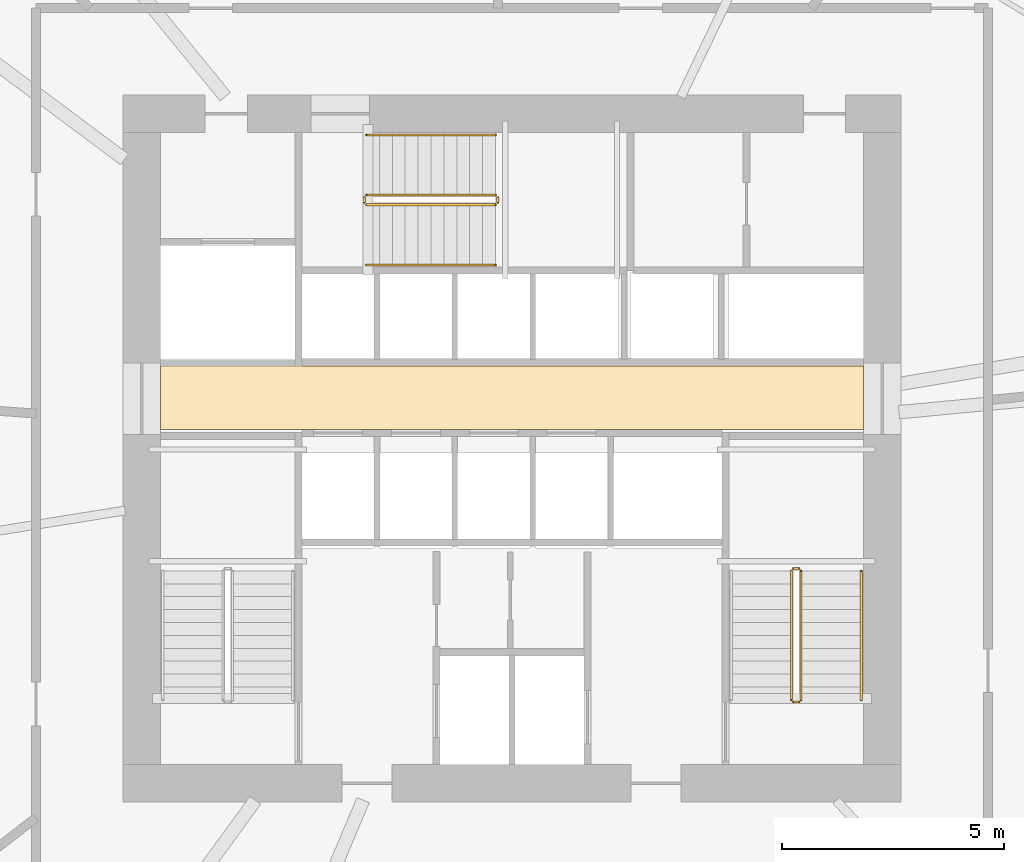
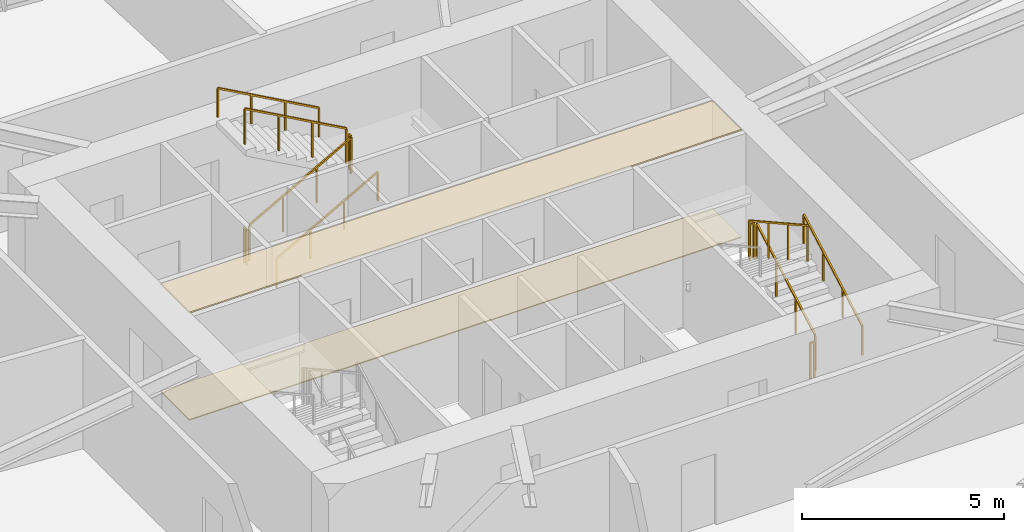
# One storey, part 20 of 21: 11 railings, 2 coverings.
"""IFC4 building model written with IfcOpenShell, lengths in metres."""

from ifc_helpers import new_model, si_unit, direction, frame, origin, origin_2d, place, context, subcontext, project, spatial, polyline, rectangle, outline, extrude, material, layer, layer_set, type_object, element, save


model = new_model("IFC4")

# Units and contexts
model_context = context("Model", 3, precision=1e-05, world=origin(), true_north=direction((0.0, 1.0)))
body_context = subcontext(model_context, "Body", "Model", "MODEL_VIEW")
ifc_project = project(units=[si_unit("LENGTHUNIT", "METRE"), si_unit("AREAUNIT", "SQUARE_METRE"), si_unit("VOLUMEUNIT", "CUBIC_METRE"), si_unit("PLANEANGLEUNIT", "RADIAN"), si_unit("MASSUNIT", "GRAM", prefix="KILO")], contexts=[model_context])

# Site, building, storey
site_placement = place(None, origin())
site = spatial("IfcSite", under=ifc_project, at=site_placement, CompositionType="ELEMENT")
building_placement = place(site_placement, origin())
building = spatial("IfcBuilding", under=site, at=building_placement, Name="Olszyna Solenne Hotel", CompositionType="ELEMENT")
storey_placement = place(building_placement, frame((0.0, 0.0, 68.35009765625)))
storey = spatial("IfcBuildingStorey", under=building, at=storey_placement, Name="L17", CompositionType="ELEMENT", Elevation=68.35009765625)

# Coverings
ifc_material_1 = material(Name="Mineral wool acoustic ceiling")
ifc_layer_1 = layer(ifc_material_1, 0.0400390625, Name="Mineral wool acoustic ceiling")
ifc_layer_set_1 = layer_set([ifc_layer_1], Name="Mineral wool acoustic ceiling")
covering_type_1 = type_object("IfcCoveringType", Name="CL-AC1", PredefinedType="CEILING", material=ifc_layer_set_1)
covering_1_placement = place(storey_placement, frame((0.0, 0.0, 3.239990234375)))
element("IfcCovering", 1, at=covering_1_placement, inside=storey, type_object=covering_type_1, Name="Lift lobby acoustic tile ceiling CL-L17-01", PredefinedType="CEILING", context=body_context, shape_type="SweptSolid", body=[
    extrude(outline(polyline([(30.10009765625, 27.030029296875), (45.89990234375, 27.030029296875), (45.89990234375, 28.4599609375), (30.10009765625, 28.4599609375), (30.10009765625, 27.030029296875)])), origin(), (0.0, 0.0, 1.0), 0.039794921875),
])
ifc_material_2 = material(Name="Ceramic floor tile")
ifc_layer_2 = layer(ifc_material_2, 0.030029296875, Name="Ceramic floor tile")
ifc_layer_set_2 = layer_set([ifc_layer_2], Name="Ceramic floor tile")
covering_type_2 = type_object("IfcCoveringType", Name="FL-TL1", PredefinedType="FLOORING", material=ifc_layer_set_2)
covering_2_placement = place(storey_placement, origin())
element("IfcCovering", 2, at=covering_2_placement, inside=storey, type_object=covering_type_2, Name="Lift lobby stoneware floor finish FLR-L17-01", PredefinedType="FLOORING", context=body_context, shape_type="SweptSolid", body=[
    extrude(outline(polyline([(30.10009765625, 27.030029296875), (45.89990234375, 27.030029296875), (45.89990234375, 28.4599609375), (30.10009765625, 28.4599609375), (30.10009765625, 27.030029296875)])), origin(), (0.0, 0.0, 1.0), 0.02978515625),
])

# Railings
ifc_material_3 = material(Name="Anodised bronze aluminium", Category="aluminium")
railing_type_1 = type_object("IfcRailingType", Name="GR-110", PredefinedType="BALUSTRADE", material=ifc_material_3)
railing_1_placement = place(storey_placement, frame((44.5, 20.949951171875, 0.161376953125)))
element("IfcRailing", 3, at=railing_1_placement, inside=storey, type_object=railing_type_1, Name="L17 ST2 stair guard 1", PredefinedType="BALUSTRADE", context=body_context, shape_type="SweptSolid", body=[
    extrude(rectangle(XDim=0.048095703125, YDim=0.048095703125, at=origin_2d()), frame((0.0, 0.0, 1.076171875), z_axis=(0.0, 0.873858693841, 0.486179990537), x_axis=(-1.0, 0.0, 0.0)), (0.0, 0.0, 1.0), 3.31884765625),
    extrude(rectangle(XDim=0.0419921875, YDim=0.0419921875, at=origin_2d()), origin(), (0.0, 0.0, 1.0), 1.052001953125),
    extrude(rectangle(XDim=0.0419921875, YDim=0.0419921875, at=origin_2d()), frame((0.0, 0.966796875, 0.537841796875)), (0.0, 0.0, 1.0), 1.052001953125),
    extrude(rectangle(XDim=0.0419921875, YDim=0.0419921875, at=origin_2d()), frame((0.0, 1.933349609375, 1.07568359375)), (0.0, 0.0, 1.0), 1.052001953125),
    extrude(rectangle(XDim=0.0419921875, YDim=0.0419921875, at=origin_2d()), frame((0.0, 2.900146484375, 1.613525390625)), (0.0, 0.0, 1.0), 1.052001953125),
])
railing_2_placement = place(storey_placement, frame((44.449951171875, 23.89990234375, 1.77490234375)))
element("IfcRailing", 4, at=railing_2_placement, inside=storey, type_object=railing_type_1, Name="L17 ST2 stair guard 2", PredefinedType="BALUSTRADE", context=body_context, shape_type="SweptSolid", body=[
    extrude(rectangle(XDim=0.048095703125, YDim=0.048095703125, at=origin_2d()), frame((0.0, 0.0, 1.076171875), z_axis=(-1.0, 0.0, 0.0), x_axis=(0.0, -1.0, 0.0)), (0.0, 0.0, 1.0), 0.119873046875),
    extrude(rectangle(XDim=0.0419921875, YDim=0.0419921875, at=origin_2d()), origin(), (0.0, 0.0, 1.0), 1.052001953125),
    extrude(rectangle(XDim=0.0419921875, YDim=0.0419921875, at=origin_2d()), frame((-0.119873046875, 0.0, 0.0)), (0.0, 0.0, 1.0), 1.052001953125),
])
railing_3_placement = place(storey_placement, frame((44.280029296875, 23.85009765625, 1.936279296875)))
element("IfcRailing", 5, at=railing_3_placement, inside=storey, type_object=railing_type_1, Name="L17 ST2 stair guard 3", PredefinedType="BALUSTRADE", context=body_context, shape_type="SweptSolid", body=[
    extrude(rectangle(XDim=0.048095703125, YDim=0.048095703125, at=origin_2d()), frame((0.0, 0.0, 1.076171875), z_axis=(0.0, -0.873858693841, 0.486179990537), x_axis=(1.0, 0.0, 0.0)), (0.0, 0.0, 1.0), 3.31884765625),
    extrude(rectangle(XDim=0.0419921875, YDim=0.0419921875, at=origin_2d()), origin(), (0.0, 0.0, 1.0), 1.052001953125),
    extrude(rectangle(XDim=0.0419921875, YDim=0.0419921875, at=origin_2d()), frame((0.0, -0.966796875, 0.537841796875)), (0.0, 0.0, 1.0), 1.052001953125),
    extrude(rectangle(XDim=0.0419921875, YDim=0.0419921875, at=origin_2d()), frame((0.0, -1.933349609375, 1.07568359375)), (0.0, 0.0, 1.0), 1.052001953125),
    extrude(rectangle(XDim=0.0419921875, YDim=0.0419921875, at=origin_2d()), frame((0.0, -2.900146484375, 1.613525390625)), (0.0, 0.0, 1.0), 1.052001953125),
])
railing_4_placement = place(storey_placement, frame((44.449951171875, 20.89990234375, 0.0)))
element("IfcRailing", 6, at=railing_4_placement, inside=storey, type_object=railing_type_1, Name="L17 ST2 stair guard 4", PredefinedType="BALUSTRADE", context=body_context, shape_type="SweptSolid", body=[
    extrude(rectangle(XDim=0.048095703125, YDim=0.048095703125, at=origin_2d()), frame((0.0, 0.0, 1.076171875), z_axis=(-1.0, 0.0, 0.0), x_axis=(0.0, -1.0, 0.0)), (0.0, 0.0, 1.0), 0.119873046875),
    extrude(rectangle(XDim=0.0419921875, YDim=0.0419921875, at=origin_2d()), origin(), (0.0, 0.0, 1.0), 1.052001953125),
    extrude(rectangle(XDim=0.0419921875, YDim=0.0419921875, at=origin_2d()), frame((-0.119873046875, 0.0, 0.0)), (0.0, 0.0, 1.0), 1.052001953125),
])
railing_5_placement = place(storey_placement, frame((34.72998046875, 32.080078125, 0.161376953125)))
element("IfcRailing", 7, at=railing_5_placement, inside=storey, type_object=railing_type_1, Name="L17 ST3 stair guard 1", PredefinedType="BALUSTRADE", context=body_context, shape_type="SweptSolid", body=[
    extrude(rectangle(XDim=0.048095703125, YDim=0.048095703125, at=origin_2d()), frame((0.0, 0.0, 1.076171875), z_axis=(0.873841303929, 0.0, 0.486211245805), x_axis=(0.0, 1.0, 0.0)), (0.0, 0.0, 1.0), 3.318603515625),
    extrude(rectangle(XDim=0.0419921875, YDim=0.0419921875, at=origin_2d()), origin(), (0.0, 0.0, 1.0), 1.052001953125),
    extrude(rectangle(XDim=0.0419921875, YDim=0.0419921875, at=origin_2d()), frame((0.966552734375, 0.0, 0.537841796875)), (0.0, 0.0, 1.0), 1.052001953125),
    extrude(rectangle(XDim=0.0419921875, YDim=0.0419921875, at=origin_2d()), frame((1.933349609375, 0.0, 1.07568359375)), (0.0, 0.0, 1.0), 1.052001953125),
    extrude(rectangle(XDim=0.0419921875, YDim=0.0419921875, at=origin_2d()), frame((2.89990234375, 0.0, 1.613525390625)), (0.0, 0.0, 1.0), 1.052001953125),
])
railing_6_placement = place(storey_placement, frame((37.679931640625, 32.1298828125, 1.77490234375)))
element("IfcRailing", 8, at=railing_6_placement, inside=storey, type_object=railing_type_1, Name="L17 ST3 stair guard 2", PredefinedType="BALUSTRADE", context=body_context, shape_type="SweptSolid", body=[
    extrude(rectangle(XDim=0.048095703125, YDim=0.048095703125, at=origin_2d()), frame((0.0, 0.0, 1.076171875), z_axis=(0.0, 1.0, 0.0), x_axis=(-1.0, 0.0, 0.0)), (0.0, 0.0, 1.0), 0.1201171875),
    extrude(rectangle(XDim=0.0419921875, YDim=0.0419921875, at=origin_2d()), origin(), (0.0, 0.0, 1.0), 1.052001953125),
    extrude(rectangle(XDim=0.0419921875, YDim=0.0419921875, at=origin_2d()), frame((0.0, 0.1201171875, 0.0)), (0.0, 0.0, 1.0), 1.052001953125),
])
railing_7_placement = place(storey_placement, frame((37.6298828125, 32.300048828125, 1.936279296875)))
element("IfcRailing", 9, at=railing_7_placement, inside=storey, type_object=railing_type_1, Name="L17 ST3 stair guard 3", PredefinedType="BALUSTRADE", context=body_context, shape_type="SweptSolid", body=[
    extrude(rectangle(XDim=0.048095703125, YDim=0.048095703125, at=origin_2d()), frame((0.0, 0.0, 1.076171875), z_axis=(-0.873841303929, 0.0, 0.486211245805), x_axis=(0.0, -1.0, 0.0)), (0.0, 0.0, 1.0), 3.318603515625),
    extrude(rectangle(XDim=0.0419921875, YDim=0.0419921875, at=origin_2d()), origin(), (0.0, 0.0, 1.0), 1.052001953125),
    extrude(rectangle(XDim=0.0419921875, YDim=0.0419921875, at=origin_2d()), frame((-0.966552734375, 0.0, 0.537841796875)), (0.0, 0.0, 1.0), 1.052001953125),
    extrude(rectangle(XDim=0.0419921875, YDim=0.0419921875, at=origin_2d()), frame((-1.933349609375, 0.0, 1.07568359375)), (0.0, 0.0, 1.0), 1.052001953125),
    extrude(rectangle(XDim=0.0419921875, YDim=0.0419921875, at=origin_2d()), frame((-2.89990234375, 0.0, 1.613525390625)), (0.0, 0.0, 1.0), 1.052001953125),
])
railing_8_placement = place(storey_placement, frame((34.679931640625, 32.1298828125, 0.0)))
element("IfcRailing", 10, at=railing_8_placement, inside=storey, type_object=railing_type_1, Name="L17 ST3 stair guard 4", PredefinedType="BALUSTRADE", context=body_context, shape_type="SweptSolid", body=[
    extrude(rectangle(XDim=0.048095703125, YDim=0.048095703125, at=origin_2d()), frame((0.0, 0.0, 1.076171875), z_axis=(0.0, 1.0, 0.0), x_axis=(-1.0, 0.0, 0.0)), (0.0, 0.0, 1.0), 0.1201171875),
    extrude(rectangle(XDim=0.0419921875, YDim=0.0419921875, at=origin_2d()), origin(), (0.0, 0.0, 1.0), 1.052001953125),
    extrude(rectangle(XDim=0.0419921875, YDim=0.0419921875, at=origin_2d()), frame((0.0, 0.1201171875, 0.0)), (0.0, 0.0, 1.0), 1.052001953125),
])
ifc_material_4 = material(Name="Steel S355J2", Category="steel")
railing_type_2 = type_object("IfcRailingType", Name="HR-090", PredefinedType="HANDRAIL", material=ifc_material_4)
railing_9_placement = place(storey_placement, frame((45.85009765625, 20.949951171875, 0.161376953125)))
element("IfcRailing", 11, at=railing_9_placement, inside=storey, type_object=railing_type_2, Name="L17 ST2 stair handrail 1", PredefinedType="HANDRAIL", context=body_context, shape_type="SweptSolid", body=[
    extrude(rectangle(XDim=0.048095703125, YDim=0.048095703125, at=origin_2d()), frame((0.0, 0.0, 0.8759765625), z_axis=(0.0, 0.873858693841, 0.486179990537), x_axis=(-1.0, 0.0, 0.0)), (0.0, 0.0, 1.0), 3.31884765625),
    extrude(rectangle(XDim=0.0419921875, YDim=0.0419921875, at=origin_2d()), origin(), (0.0, 0.0, 1.0), 0.851806640625),
    extrude(rectangle(XDim=0.0419921875, YDim=0.0419921875, at=origin_2d()), frame((0.0, 0.966796875, 0.537841796875)), (0.0, 0.0, 1.0), 0.851806640625),
    extrude(rectangle(XDim=0.0419921875, YDim=0.0419921875, at=origin_2d()), frame((0.0, 1.933349609375, 1.07568359375)), (0.0, 0.0, 1.0), 0.851806640625),
    extrude(rectangle(XDim=0.0419921875, YDim=0.0419921875, at=origin_2d()), frame((0.0, 2.900146484375, 1.613525390625)), (0.0, 0.0, 1.0), 0.851806640625),
])
railing_10_placement = place(storey_placement, frame((34.72998046875, 30.72998046875, 0.161376953125)))
element("IfcRailing", 12, at=railing_10_placement, inside=storey, type_object=railing_type_2, Name="L17 ST3 stair handrail 1", PredefinedType="HANDRAIL", context=body_context, shape_type="SweptSolid", body=[
    extrude(rectangle(XDim=0.048095703125, YDim=0.048095703125, at=origin_2d()), frame((0.0, 0.0, 0.8759765625), z_axis=(0.873841303929, 0.0, 0.486211245805), x_axis=(0.0, 1.0, 0.0)), (0.0, 0.0, 1.0), 3.318603515625),
    extrude(rectangle(XDim=0.0419921875, YDim=0.0419921875, at=origin_2d()), origin(), (0.0, 0.0, 1.0), 0.851806640625),
    extrude(rectangle(XDim=0.0419921875, YDim=0.0419921875, at=origin_2d()), frame((0.966552734375, 0.0, 0.537841796875)), (0.0, 0.0, 1.0), 0.851806640625),
    extrude(rectangle(XDim=0.0419921875, YDim=0.0419921875, at=origin_2d()), frame((1.933349609375, 0.0, 1.07568359375)), (0.0, 0.0, 1.0), 0.851806640625),
    extrude(rectangle(XDim=0.0419921875, YDim=0.0419921875, at=origin_2d()), frame((2.89990234375, 0.0, 1.613525390625)), (0.0, 0.0, 1.0), 0.851806640625),
])
railing_11_placement = place(storey_placement, frame((37.6298828125, 33.64990234375, 1.936279296875)))
element("IfcRailing", 13, at=railing_11_placement, inside=storey, type_object=railing_type_2, Name="L17 ST3 stair handrail 2", PredefinedType="HANDRAIL", context=body_context, shape_type="SweptSolid", body=[
    extrude(rectangle(XDim=0.048095703125, YDim=0.048095703125, at=origin_2d()), frame((0.0, 0.0, 0.8759765625), z_axis=(-0.873841303929, 0.0, 0.486211245805), x_axis=(0.0, -1.0, 0.0)), (0.0, 0.0, 1.0), 3.318603515625),
    extrude(rectangle(XDim=0.0419921875, YDim=0.0419921875, at=origin_2d()), origin(), (0.0, 0.0, 1.0), 0.851806640625),
    extrude(rectangle(XDim=0.0419921875, YDim=0.0419921875, at=origin_2d()), frame((-0.966552734375, 0.0, 0.537841796875)), (0.0, 0.0, 1.0), 0.851806640625),
    extrude(rectangle(XDim=0.0419921875, YDim=0.0419921875, at=origin_2d()), frame((-1.933349609375, 0.0, 1.07568359375)), (0.0, 0.0, 1.0), 0.851806640625),
    extrude(rectangle(XDim=0.0419921875, YDim=0.0419921875, at=origin_2d()), frame((-2.89990234375, 0.0, 1.613525390625)), (0.0, 0.0, 1.0), 0.851806640625),
])

save(model, "model.ifc")
